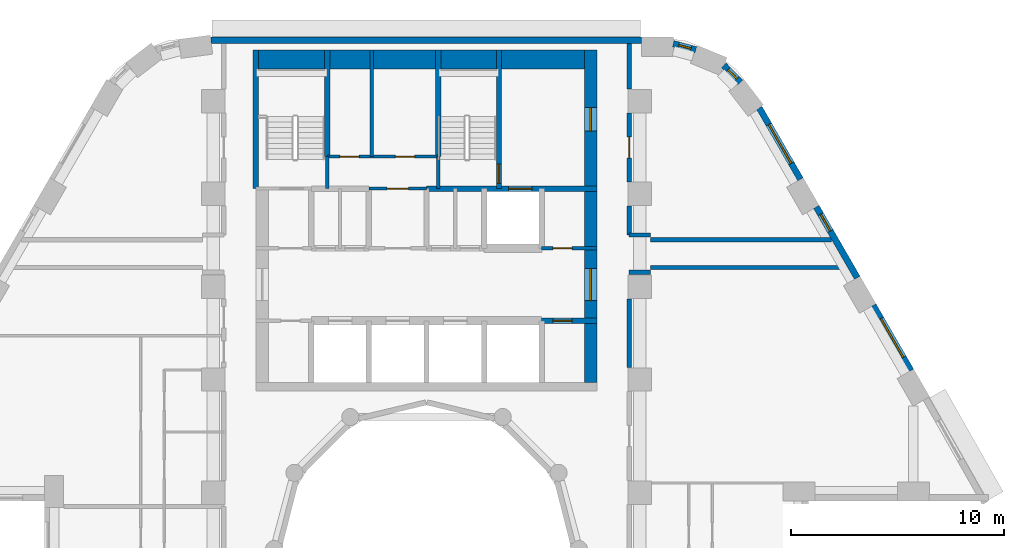
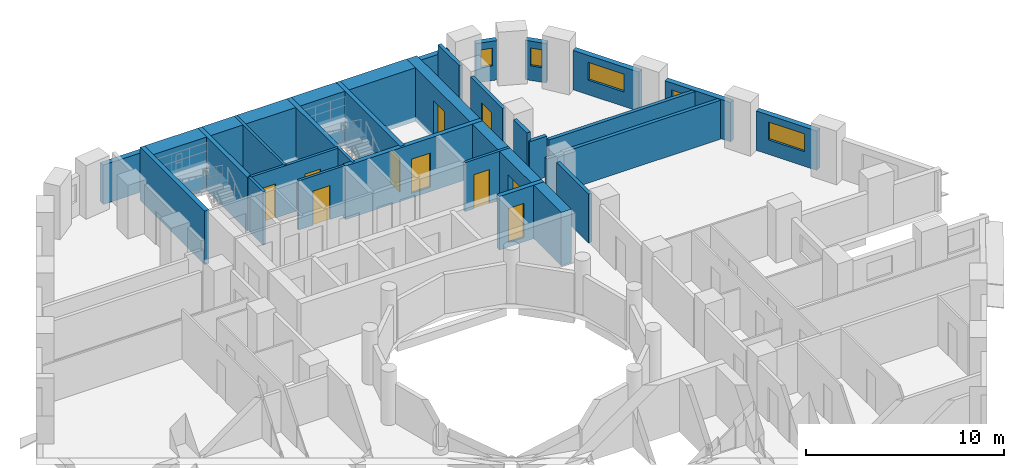
# One storey, part 8 of 12: 28 walls, 10 doors, 5 windows, 15 openings.
"""IFC4 building model written with IfcOpenShell, lengths in metres."""

from ifc_helpers import new_model, si_unit, direction, frame, frame_2d, origin, place, context, subcontext, project, spatial, rectangle, extrude, material, layer, layer_set, type_object, element, fill, save


model = new_model("IFC4")

# Units and contexts
model_context = context("Model", 3, precision=1e-05, world=origin(), true_north=direction((0.0, 1.0)))
body_context = subcontext(model_context, "Body", "Model", "MODEL_VIEW")
ifc_project = project(units=[si_unit("LENGTHUNIT", "METRE"), si_unit("AREAUNIT", "SQUARE_METRE"), si_unit("VOLUMEUNIT", "CUBIC_METRE"), si_unit("PLANEANGLEUNIT", "RADIAN"), si_unit("MASSUNIT", "GRAM", prefix="KILO")], contexts=[model_context])

# Site, building, storey
site_placement = place(None, origin())
site = spatial("IfcSite", under=ifc_project, at=site_placement, CompositionType="ELEMENT")
building_placement = place(site_placement, origin())
building = spatial("IfcBuilding", under=site, at=building_placement, Name="Nakaniwa Court", CompositionType="ELEMENT")
storey_placement = place(building_placement, frame((0.0, 0.0, 51.300048828125)))
storey = spatial("IfcBuildingStorey", under=building, at=storey_placement, Name="L13", CompositionType="ELEMENT", Elevation=51.300048828125)

# Walls
ifc_material_1 = material(Name="Acoustic double stud partition")
ifc_layer_1 = layer(ifc_material_1, 0.199951171875)
ifc_layer_set_1 = layer_set([ifc_layer_1], Name="Acoustic double stud partition")
wall_type_1 = type_object("IfcWallType", Name="Acoustic double stud partition 200", PredefinedType="PARTITIONING", material=ifc_layer_set_1)
wall_1_placement = place(storey_placement, frame((89.5, 88.51708984375, 0.0), z_axis=(0.0, 0.0, 1.0), x_axis=(0.0, 1.0, 0.0)))
element("IfcWall", 1, at=wall_1_placement, inside=storey, type_object=wall_type_1, Name="Partition PW-079", PredefinedType="PARTITIONING", context=body_context, shape_type="SweptSolid", body=[
    extrude(rectangle(XDim=3.2158203125, YDim=0.199951171875, at=frame_2d((1.60791015625, 0.0))), origin(), (0.0, 0.0, 1.0), 3.02490234375),
])
wall_2_placement = place(storey_placement, frame((89.5, 94.721923828125, 0.0), z_axis=(0.0, 0.0, 1.0), x_axis=(0.0, 1.0, 0.0)))
element("IfcWall", 2, at=wall_2_placement, inside=storey, type_object=wall_type_1, Name="Partition PW-080", PredefinedType="PARTITIONING", context=body_context, shape_type="SweptSolid", body=[
    extrude(rectangle(XDim=1.361083984375, YDim=0.199951171875, at=frame_2d((0.6806640625, 0.0))), origin(), (0.0, 0.0, 1.0), 3.02490234375),
])

# Wall, opening, door
wall_3_placement = place(storey_placement, frame((89.5, 100.43310546875, 0.0), z_axis=(0.0, 0.0, 1.0), x_axis=(0.0, -1.0, 0.0)))
wall_3 = element("IfcWall", 3, at=wall_3_placement, inside=storey, type_object=wall_type_1, Name="Partition PW-081", PredefinedType="PARTITIONING", context=body_context, shape_type="SweptSolid", body=[
    extrude(rectangle(XDim=3.216064453125, YDim=0.199951171875, at=frame_2d((1.60791015625, 0.0))), origin(), (0.0, 0.0, 1.0), 3.02490234375),
])
opening_1_placement = place(wall_3_placement, frame((1.10791015625, 0.0, 0.0)))
opening_1 = element("IfcOpeningElement", 4, at=opening_1_placement, cuts=wall_3, Name="Opening D-02-02", PredefinedType="OPENING", context=body_context, shape_type="SweptSolid", body=[
    extrude(rectangle(XDim=1.0, YDim=2.10009765625, at=frame_2d((0.5, 1.050048828125))), frame((0.0, 0.10986328125, 0.0), z_axis=(0.0, -1.0, 0.0), x_axis=(1.0, 0.0, 0.0)), (0.0, 0.0, 1.0), 0.219970703125),
])
ifc_material_2 = material(Name="Solid core timber door set, black veneer", Category="wood")
door_type_1 = type_object("IfcDoorType", Name="Internal door 1000", OperationType="NOTDEFINED", PredefinedType="DOOR", material=ifc_material_2)
door_1_placement = place(opening_1_placement, origin())
door_1 = element("IfcDoor", 5, at=door_1_placement, inside=storey, type_object=door_type_1, Name="Door D-02-02 L13-040", OperationType="SINGLE_SWING_LEFT", OverallHeight=2.10009765625, OverallWidth=1.0, PredefinedType="DOOR", context=body_context, shape_type="SweptSolid", body=[
    extrude(rectangle(XDim=1.0, YDim=2.10009765625, at=frame_2d((0.5, 1.050048828125))), frame((0.0, 0.02490234375, 0.0), z_axis=(0.0, -1.0, 0.0), x_axis=(1.0, 0.0, 0.0)), (0.0, 0.0, 1.0), 0.050048828125),
])
fill(opening_1, door_1)

# Walls
wall_4_placement = place(storey_placement, frame((89.5, 101.56689453125, 0.0), z_axis=(0.0, 0.0, 1.0), x_axis=(0.0, 1.0, 0.0)))
element("IfcWall", 6, at=wall_4_placement, inside=storey, type_object=wall_type_1, Name="Partition PW-082", PredefinedType="PARTITIONING", context=body_context, shape_type="SweptSolid", body=[
    extrude(rectangle(XDim=2.133056640625, YDim=0.199951171875, at=frame_2d((1.06640625, 0.0))), origin(), (0.0, 0.0, 1.0), 3.02490234375),
])
wall_5_placement = place(storey_placement, frame((90.5, 93.199951171875, 0.0), z_axis=(0.0, 0.0, 1.0), x_axis=(1.0, 0.0, 0.0)))
element("IfcWall", 7, at=wall_5_placement, inside=storey, type_object=wall_type_1, Name="Partition PW-084", PredefinedType="PARTITIONING", context=body_context, shape_type="SweptSolid", body=[
    extrude(rectangle(XDim=9.245361328125, YDim=0.199951171875, at=frame_2d((4.62255859375, 0.0))), origin(), (0.0, 0.0, 1.0), 2.405029296875),
])
for number, where, z_axis, x_axis, name in (
    (8, (89.5, 92.97509765625, 0.0), (0.0, 0.0, 1.0), (1.0, 0.0, 0.0), "Partition PW-086"),
    (9, (89.5, 94.72509765625, 0.0), (0.0, 0.0, 1.0), (1.0, 0.0, 0.0), "Partition PW-088"),
):
    element("IfcWall", number, at=place(storey_placement, frame(where, z_axis=z_axis, x_axis=x_axis)), inside=storey, type_object=wall_type_1, Name=name, PredefinedType="PARTITIONING", context=body_context, shape_type="SweptSolid", body=[
        extrude(rectangle(XDim=1.0, YDim=0.199951171875, at=frame_2d((0.5, 0.0))), origin(), (0.0, 0.0, 1.0), 2.5048828125),
    ])
wall_6_placement = place(storey_placement, frame((90.5, 94.5, 0.0), z_axis=(0.0, 0.0, 1.0), x_axis=(1.0, 0.0, 0.0)))
element("IfcWall", 10, at=wall_6_placement, inside=storey, type_object=wall_type_1, Name="Partition PW-090", PredefinedType="PARTITIONING", context=body_context, shape_type="SweptSolid", body=[
    extrude(rectangle(XDim=8.494873046875, YDim=0.199951171875, at=frame_2d((4.24755859375, 0.0))), origin(), (0.0, 0.0, 1.0), 2.405029296875),
])

# Wall, opening, window
ifc_material_3 = material(Name="Charcoal ceramic cladding")
ifc_layer_2 = layer(ifc_material_3, 0.02, Name="Ceramic cladding")
ifc_material_4 = material(Name="Ventilated air cavity")
ifc_layer_3 = layer(ifc_material_4, 0.04, ventilated=True, Name="Ventilated cavity")
ifc_material_5 = material(Name="Mineral wool insulation")
ifc_layer_4 = layer(ifc_material_5, 0.1, Name="Insulation")
ifc_material_6 = material(Name="Cement bonded sheathing board")
ifc_layer_5 = layer(ifc_material_6, 0.012, Name="Sheathing")
ifc_material_7 = material(Name="Cold-formed galvanised stud frame with mineral wool infill")
ifc_layer_6 = layer(ifc_material_7, 0.1, Name="Stud frame")
ifc_material_8 = material(Name="Fire-rated gypsum plasterboard lining")
ifc_layer_7 = layer(ifc_material_8, 0.028, Name="Lining")
ifc_layer_set_2 = layer_set([ifc_layer_2, ifc_layer_3, ifc_layer_4, ifc_layer_5, ifc_layer_6, ifc_layer_7], Name="Charcoal ceramic faced external wall system")
wall_type_2 = type_object("IfcWallType", Name="Black ceramic faced external wall 300", PredefinedType="SOLIDWALL", material=ifc_layer_set_2)
wall_7_placement = place(storey_placement, frame((102.709716796875, 88.36572265625, 0.0), z_axis=(0.0, 0.0, 1.0), x_axis=(-0.499977402622, 0.866038449993, 0.0)))
wall_7 = element("IfcWall", 11, at=wall_7_placement, inside=storey, type_object=wall_type_2, Name="L13 external wall 03", PredefinedType="SOLIDWALL", context=body_context, shape_type="SweptSolid", body=[
    extrude(rectangle(XDim=3.536865234375, YDim=0.300048828125, at=frame_2d((1.7685546875, 0.0))), origin(), (0.0, 0.0, 1.0), 2.425048828125),
])
opening_2_placement = place(wall_7_placement, frame((0.718505859375, 0.0, 0.89990234375)))
opening_2 = element("IfcOpeningElement", 12, at=opening_2_placement, cuts=wall_7, Name="Opening W7.02", PredefinedType="OPENING", context=body_context, shape_type="SweptSolid", body=[
    extrude(rectangle(XDim=2.10009765625, YDim=1.10009765625, at=frame_2d((1.050048828125, 0.550048828125))), frame((0.0, 0.159912109375, 0.0), z_axis=(0.0, -1.0, 0.0), x_axis=(1.0, 0.0, 0.0)), (0.0, 0.0, 1.0), 0.320068359375),
])
ifc_material_9 = material(Name="Black anodised aluminium frame with dark low-E laminated double glazing", Category="aluminium")
window_type_1 = type_object("IfcWindowType", Name="Dark glass window 2100x1100 sill 900", PartitioningType="SINGLE_PANEL", PredefinedType="WINDOW", material=ifc_material_9)
window_1_placement = place(opening_2_placement, origin())
window_1 = element("IfcWindow", 13, at=window_1_placement, inside=storey, type_object=window_type_1, Name="L13 habitable room window 03-0", OverallHeight=1.10009765625, OverallWidth=2.10009765625, PartitioningType="SINGLE_PANEL", PredefinedType="WINDOW", context=body_context, shape_type="SweptSolid", body=[
    extrude(rectangle(XDim=2.10009765625, YDim=1.10009765625, at=frame_2d((1.050048828125, 0.550048828125))), frame((0.0, 0.030029296875, 0.0), z_axis=(0.0, -1.0, 0.0), x_axis=(1.0, 0.0, 0.0)), (0.0, 0.0, 1.0), 0.06005859375),
])
fill(opening_2, window_1)

wall_8_placement = place(storey_placement, frame((100.1953125, 92.720703125, 0.0), z_axis=(0.0, 0.0, 1.0), x_axis=(-0.500001735503, 0.866024401789, 0.0)))
wall_8 = element("IfcWall", 14, at=wall_8_placement, inside=storey, type_object=wall_type_2, Name="L13 external wall 04", PredefinedType="SOLIDWALL", context=body_context, shape_type="SweptSolid", body=[
    extrude(rectangle(XDim=3.833984375, YDim=0.300048828125, at=frame_2d((1.9169921875, 0.0))), origin(), (0.0, 0.0, 1.0), 2.425048828125),
])
opening_3_placement = place(wall_8_placement, frame((2.53125, 0.0, 0.89990234375)))
opening_3 = element("IfcOpeningElement", 15, at=opening_3_placement, cuts=wall_8, Name="Opening W9.03", PredefinedType="OPENING", context=body_context, shape_type="SweptSolid", body=[
    extrude(rectangle(XDim=0.89990234375, YDim=1.10009765625, at=frame_2d((0.449951171875, 0.550048828125))), frame((0.0, 0.159912109375, 0.0), z_axis=(0.0, -1.0, 0.0), x_axis=(1.0, 0.0, 0.0)), (0.0, 0.0, 1.0), 0.320068359375),
])
window_type_2 = type_object("IfcWindowType", Name="Dark glass window 900x1100 sill 900", PartitioningType="SINGLE_PANEL", PredefinedType="WINDOW", material=ifc_material_9)
window_2_placement = place(opening_3_placement, origin())
window_2 = element("IfcWindow", 16, at=window_2_placement, inside=storey, type_object=window_type_2, Name="L13 habitable room window 04-2", OverallHeight=1.10009765625, OverallWidth=0.89990234375, PartitioningType="SINGLE_PANEL", PredefinedType="WINDOW", context=body_context, shape_type="SweptSolid", body=[
    extrude(rectangle(XDim=0.89990234375, YDim=1.10009765625, at=frame_2d((0.449951171875, 0.550048828125))), frame((0.0, 0.030029296875, 0.0), z_axis=(0.0, -1.0, 0.0), x_axis=(1.0, 0.0, 0.0)), (0.0, 0.0, 1.0), 0.06005859375),
])
fill(opening_3, window_2)

wall_9_placement = place(storey_placement, frame((97.5322265625, 97.3330078125, 0.0), z_axis=(0.0, 0.0, 1.0), x_axis=(-0.499948341072, 0.866055227026, 0.0)))
wall_9 = element("IfcWall", 17, at=wall_9_placement, inside=storey, type_object=wall_type_2, Name="L13 external wall 05", PredefinedType="SOLIDWALL", context=body_context, shape_type="SweptSolid", body=[
    extrude(rectangle(XDim=3.8671875, YDim=0.300048828125, at=frame_2d((1.93359375, 0.0))), origin(), (0.0, 0.0, 1.0), 2.425048828125),
])
opening_4_placement = place(wall_9_placement, frame((0.872314453125, 0.0, 0.89990234375)))
opening_4 = element("IfcOpeningElement", 18, at=opening_4_placement, cuts=wall_9, Name="Opening W7.04", PredefinedType="OPENING", context=body_context, shape_type="SweptSolid", body=[
    extrude(rectangle(XDim=2.10009765625, YDim=1.10009765625, at=frame_2d((1.050048828125, 0.550048828125))), frame((0.0, 0.159912109375, 0.0), z_axis=(0.0, -1.0, 0.0), x_axis=(1.0, 0.0, 0.0)), (0.0, 0.0, 1.0), 0.320068359375),
])
window_3_placement = place(opening_4_placement, origin())
window_3 = element("IfcWindow", 19, at=window_3_placement, inside=storey, type_object=window_type_1, Name="L13 habitable room window 05-0", OverallHeight=1.10009765625, OverallWidth=2.10009765625, PartitioningType="SINGLE_PANEL", PredefinedType="WINDOW", context=body_context, shape_type="SweptSolid", body=[
    extrude(rectangle(XDim=2.10009765625, YDim=1.10009765625, at=frame_2d((1.050048828125, 0.550048828125))), frame((0.0, 0.030029296875, 0.0), z_axis=(0.0, -1.0, 0.0), x_axis=(1.0, 0.0, 0.0)), (0.0, 0.0, 1.0), 0.06005859375),
])
fill(opening_4, window_3)

wall_10_placement = place(storey_placement, frame((94.712646484375, 101.8828125, 0.0), z_axis=(0.0, 0.0, 1.0), x_axis=(-0.696138968055, 0.717907053285, 0.0)))
wall_10 = element("IfcWall", 20, at=wall_10_placement, inside=storey, type_object=wall_type_2, Name="L13 external wall 06", PredefinedType="SOLIDWALL", context=body_context, shape_type="SweptSolid", body=[
    extrude(rectangle(XDim=1.1103515625, YDim=0.300048828125, at=frame_2d((0.55517578125, 0.0))), origin(), (0.0, 0.0, 1.0), 2.425048828125),
])
opening_5_placement = place(wall_10_placement, frame((0.230712890625, 0.0, 0.89990234375)))
opening_5 = element("IfcOpeningElement", 21, at=opening_5_placement, cuts=wall_10, Name="Opening W8.05", PredefinedType="OPENING", context=body_context, shape_type="SweptSolid", body=[
    extrude(rectangle(XDim=0.60009765625, YDim=1.10009765625, at=frame_2d((0.300048828125, 0.550048828125))), frame((0.0, 0.159912109375, 0.0), z_axis=(0.0, -1.0, 0.0), x_axis=(1.0, 0.0, 0.0)), (0.0, 0.0, 1.0), 0.320068359375),
])
window_type_3 = type_object("IfcWindowType", Name="Dark glass window 600x1100 sill 900", PartitioningType="SINGLE_PANEL", PredefinedType="WINDOW", material=ifc_material_9)
window_4_placement = place(opening_5_placement, origin())
window_4 = element("IfcWindow", 22, at=window_4_placement, inside=storey, type_object=window_type_3, Name="L13 habitable room window 06-0", OverallHeight=1.10009765625, OverallWidth=0.60009765625, PartitioningType="SINGLE_PANEL", PredefinedType="WINDOW", context=body_context, shape_type="SweptSolid", body=[
    extrude(rectangle(XDim=0.60009765625, YDim=1.10009765625, at=frame_2d((0.300048828125, 0.550048828125))), frame((0.0, 0.030029296875, 0.0), z_axis=(0.0, -1.0, 0.0), x_axis=(1.0, 0.0, 0.0)), (0.0, 0.0, 1.0), 0.06005859375),
])
fill(opening_5, window_4)

wall_11_placement = place(storey_placement, frame((92.62548828125, 103.406982421875, 0.0), z_axis=(0.0, 0.0, 1.0), x_axis=(-0.96522637192, 0.261415475728, 0.0)))
wall_11 = element("IfcWall", 23, at=wall_11_placement, inside=storey, type_object=wall_type_2, Name="L13 external wall 07", PredefinedType="SOLIDWALL", context=body_context, shape_type="SweptSolid", body=[
    extrude(rectangle(XDim=1.0927734375, YDim=0.300048828125, at=frame_2d((0.54638671875, 0.0))), origin(), (0.0, 0.0, 1.0), 2.425048828125),
])
opening_6_placement = place(wall_11_placement, frame((0.236083984375, 0.0, 0.89990234375)))
opening_6 = element("IfcOpeningElement", 24, at=opening_6_placement, cuts=wall_11, Name="Opening W8.06", PredefinedType="OPENING", context=body_context, shape_type="SweptSolid", body=[
    extrude(rectangle(XDim=0.60009765625, YDim=1.10009765625, at=frame_2d((0.300048828125, 0.550048828125))), frame((0.0, 0.159912109375, 0.0), z_axis=(0.0, -1.0, 0.0), x_axis=(1.0, 0.0, 0.0)), (0.0, 0.0, 1.0), 0.320068359375),
])
window_5_placement = place(opening_6_placement, origin())
window_5 = element("IfcWindow", 25, at=window_5_placement, inside=storey, type_object=window_type_3, Name="L13 habitable room window 07-0", OverallHeight=1.10009765625, OverallWidth=0.60009765625, PartitioningType="SINGLE_PANEL", PredefinedType="WINDOW", context=body_context, shape_type="SweptSolid", body=[
    extrude(rectangle(XDim=0.60009765625, YDim=1.10009765625, at=frame_2d((0.300048828125, 0.550048828125))), frame((0.0, 0.030029296875, 0.0), z_axis=(0.0, -1.0, 0.0), x_axis=(1.0, 0.0, 0.0)), (0.0, 0.0, 1.0), 0.06005859375),
])
fill(opening_6, window_5)

# Wall
wall_12_placement = place(storey_placement, frame((90.07861328125, 103.85009765625, 0.0), z_axis=(0.0, 0.0, 1.0), x_axis=(-1.0, 0.0, 0.0)))
element("IfcWall", 26, at=wall_12_placement, inside=storey, type_object=wall_type_2, Name="L13 external wall 08", PredefinedType="SOLIDWALL", context=body_context, shape_type="SweptSolid", body=[
    extrude(rectangle(XDim=20.1904296875, YDim=0.300048828125, at=frame_2d((10.09521484375, 0.0))), origin(), (0.0, 0.0, 1.0), 2.425048828125),
])

# Wall, opening, door
ifc_material_10 = material(Name="Blockwork partition", Category="masonry")
ifc_layer_8 = layer(ifc_material_10, 0.14990234375)
ifc_layer_set_3 = layer_set([ifc_layer_8], Name="Blockwork partition")
wall_type_3 = type_object("IfcWallType", Name="Blockwork partition 150", PredefinedType="PARTITIONING", material=ifc_layer_set_3)
wall_13_placement = place(storey_placement, frame((85.39697265625, 94.10009765625, 0.0), z_axis=(0.0, 0.0, 1.0), x_axis=(1.0, 0.0, 0.0)))
wall_13 = element("IfcWall", 27, at=wall_13_placement, inside=storey, type_object=wall_type_3, Name="Partition PW-018", PredefinedType="PARTITIONING", context=body_context, shape_type="SweptSolid", body=[
    extrude(rectangle(XDim=2.60302734375, YDim=0.14990234375, at=frame_2d((1.301513671875, 0.0))), origin(), (0.0, 0.0, 1.0), 3.02490234375),
])
opening_7_placement = place(wall_13_placement, frame((0.528076171875, 0.0, 0.0)))
opening_7 = element("IfcOpeningElement", 28, at=opening_7_placement, cuts=wall_13, Name="Opening D-05-07", PredefinedType="OPENING", context=body_context, shape_type="SweptSolid", body=[
    extrude(rectangle(XDim=0.89990234375, YDim=2.10009765625, at=frame_2d((0.449951171875, 1.050048828125))), frame((0.0, 0.0849609375, 0.0), z_axis=(0.0, -1.0, 0.0), x_axis=(1.0, 0.0, 0.0)), (0.0, 0.0, 1.0), 0.169921875),
])
ifc_material_11 = material(Name="Fire rated steel door set", Category="steel")
door_type_2 = type_object("IfcDoorType", Name="Service room door 900", OperationType="NOTDEFINED", PredefinedType="DOOR", material=ifc_material_11)
door_2_placement = place(opening_7_placement, origin())
door_2 = element("IfcDoor", 29, at=door_2_placement, inside=storey, type_object=door_type_2, Name="Door D-05-07 L13-009", OperationType="SINGLE_SWING_RIGHT", OverallHeight=2.10009765625, OverallWidth=0.89990234375, PredefinedType="DOOR", context=body_context, shape_type="SweptSolid", body=[
    extrude(rectangle(XDim=0.89990234375, YDim=2.10009765625, at=frame_2d((0.449951171875, 1.050048828125))), frame((0.0, 0.02490234375, 0.0), z_axis=(0.0, -1.0, 0.0), x_axis=(1.0, 0.0, 0.0)), (0.0, 0.0, 1.0), 0.050048828125),
])
fill(opening_7, door_2)

wall_14_placement = place(storey_placement, frame((77.300048828125, 96.89990234375, 0.0), z_axis=(0.0, 0.0, 1.0), x_axis=(1.0, 0.0, 0.0)))
wall_14 = element("IfcWall", 30, at=wall_14_placement, inside=storey, type_object=wall_type_3, Name="Partition PW-026", PredefinedType="PARTITIONING", context=body_context, shape_type="SweptSolid", body=[
    extrude(rectangle(XDim=2.699951171875, YDim=0.14990234375, at=frame_2d((1.35009765625, 0.0))), origin(), (0.0, 0.0, 1.0), 3.02490234375),
])
opening_8_placement = place(wall_14_placement, frame((0.85009765625, 0.0, 0.0)))
opening_8 = element("IfcOpeningElement", 31, at=opening_8_placement, cuts=wall_14, Name="Opening D-23-01", PredefinedType="OPENING", context=body_context, shape_type="SweptSolid", body=[
    extrude(rectangle(XDim=1.0, YDim=2.10009765625, at=frame_2d((0.5, 1.050048828125))), frame((0.0, 0.0849609375, 0.0), z_axis=(0.0, -1.0, 0.0), x_axis=(1.0, 0.0, 0.0)), (0.0, 0.0, 1.0), 0.169921875),
])
door_type_3 = type_object("IfcDoorType", Name="Service room door 1000", OperationType="NOTDEFINED", PredefinedType="DOOR", material=ifc_material_11)
door_3_placement = place(opening_8_placement, origin())
door_3 = element("IfcDoor", 32, at=door_3_placement, inside=storey, type_object=door_type_3, Name="Door D-23-01 L13-010", OperationType="SINGLE_SWING_LEFT", OverallHeight=2.10009765625, OverallWidth=1.0, PredefinedType="DOOR", context=body_context, shape_type="SweptSolid", body=[
    extrude(rectangle(XDim=1.0, YDim=2.10009765625, at=frame_2d((0.5, 1.050048828125))), frame((0.0, 0.02490234375, 0.0), z_axis=(0.0, -1.0, 0.0), x_axis=(1.0, 0.0, 0.0)), (0.0, 0.0, 1.0), 0.050048828125),
])
fill(opening_8, door_3)

# Wall, openings, doors
wall_15_placement = place(storey_placement, frame((75.35009765625, 98.39990234375, 0.0), z_axis=(0.0, 0.0, 1.0), x_axis=(1.0, 0.0, 0.0)))
wall_15 = element("IfcWall", 33, at=wall_15_placement, inside=storey, type_object=wall_type_3, Name="Partition PW-034", PredefinedType="PARTITIONING", context=body_context, shape_type="SweptSolid", body=[
    extrude(rectangle(XDim=5.199951171875, YDim=0.14990234375, at=frame_2d((2.60009765625, 0.0))), origin(), (0.0, 0.0, 1.0), 3.02490234375),
])
opening_9_placement = place(wall_15_placement, frame((0.590087890625, 0.0, 0.0)))
opening_9 = element("IfcOpeningElement", 34, at=opening_9_placement, cuts=wall_15, Name="Opening D-05-08", PredefinedType="OPENING", context=body_context, shape_type="SweptSolid", body=[
    extrude(rectangle(XDim=0.89990234375, YDim=2.10009765625, at=frame_2d((0.449951171875, 1.050048828125))), frame((0.0, 0.0849609375, 0.0), z_axis=(0.0, -1.0, 0.0), x_axis=(1.0, 0.0, 0.0)), (0.0, 0.0, 1.0), 0.169921875),
])
opening_10_placement = place(wall_15_placement, frame((3.18994140625, 0.0, 0.0)))
opening_10 = element("IfcOpeningElement", 35, at=opening_10_placement, cuts=wall_15, Name="Opening D-05-09", PredefinedType="OPENING", context=body_context, shape_type="SweptSolid", body=[
    extrude(rectangle(XDim=0.89990234375, YDim=2.10009765625, at=frame_2d((0.449951171875, 1.050048828125))), frame((0.0, 0.0849609375, 0.0), z_axis=(0.0, -1.0, 0.0), x_axis=(1.0, 0.0, 0.0)), (0.0, 0.0, 1.0), 0.169921875),
])
door_4_placement = place(opening_9_placement, origin())
door_4 = element("IfcDoor", 36, at=door_4_placement, inside=storey, type_object=door_type_2, Name="Door D-05-08 L13-011", OperationType="SINGLE_SWING_RIGHT", OverallHeight=2.10009765625, OverallWidth=0.89990234375, PredefinedType="DOOR", context=body_context, shape_type="SweptSolid", body=[
    extrude(rectangle(XDim=0.89990234375, YDim=2.10009765625, at=frame_2d((0.449951171875, 1.050048828125))), frame((0.0, 0.02490234375, 0.0), z_axis=(0.0, -1.0, 0.0), x_axis=(1.0, 0.0, 0.0)), (0.0, 0.0, 1.0), 0.050048828125),
])
fill(opening_9, door_4)
door_5_placement = place(opening_10_placement, origin())
door_5 = element("IfcDoor", 37, at=door_5_placement, inside=storey, type_object=door_type_2, Name="Door D-05-09 L13-012", OperationType="SINGLE_SWING_LEFT", OverallHeight=2.10009765625, OverallWidth=0.89990234375, PredefinedType="DOOR", context=body_context, shape_type="SweptSolid", body=[
    extrude(rectangle(XDim=0.89990234375, YDim=2.10009765625, at=frame_2d((0.449951171875, 1.050048828125))), frame((0.0, 0.02490234375, 0.0), z_axis=(0.0, -1.0, 0.0), x_axis=(1.0, 0.0, 0.0)), (0.0, 0.0, 1.0), 0.050048828125),
])
fill(opening_10, door_5)

# Wall
wall_16_placement = place(storey_placement, frame((77.429931640625, 98.39990234375, 0.0), z_axis=(0.0, 0.0, 1.0), x_axis=(0.0, 1.0, 0.0)))
element("IfcWall", 38, at=wall_16_placement, inside=storey, type_object=wall_type_3, Name="Partition PW-035", PredefinedType="PARTITIONING", context=body_context, shape_type="SweptSolid", body=[
    extrude(rectangle(XDim=5.0, YDim=0.14990234375, at=frame_2d((2.5, 0.0))), origin(), (0.0, 0.0, 1.0), 3.02490234375),
])

# Wall, openings, doors
ifc_material_12 = material(Name="Concrete C100/115", Category="concrete")
ifc_layer_9 = layer(ifc_material_12, 0.60009765625)
ifc_layer_set_4 = layer_set([ifc_layer_9], Name="Concrete C100/115")
wall_type_4 = type_object("IfcWallType", Name="Concrete core side wall 600 C100", PredefinedType="SHEAR", material=ifc_layer_set_4)
wall_17_placement = place(storey_placement, frame((87.699951171875, 103.39990234375, -0.275146484375), z_axis=(0.0, 0.0, 1.0), x_axis=(0.0, -1.0, 0.0)))
wall_17 = element("IfcWall", 39, at=wall_17_placement, inside=storey, type_object=wall_type_4, Name="Core wall SW-15", PredefinedType="SHEAR", context=body_context, shape_type="SweptSolid", body=[
    extrude(rectangle(XDim=15.599853515625, YDim=0.60009765625, at=frame_2d((7.7998046875, 0.0))), origin(), (0.0, 0.0, 1.0), 3.300048828125),
])
opening_11_placement = place(wall_17_placement, frame((10.25, 0.0, 0.27490234375)))
opening_11 = element("IfcOpeningElement", 40, at=opening_11_placement, cuts=wall_17, Name="Opening D-07-01", PredefinedType="OPENING", context=body_context, shape_type="SweptSolid", body=[
    extrude(rectangle(XDim=1.5, YDim=2.10009765625, at=frame_2d((0.75, 1.050048828125))), frame((0.0, 0.31005859375, 0.0), z_axis=(0.0, -1.0, 0.0), x_axis=(1.0, 0.0, 0.0)), (0.0, 0.0, 1.0), 0.6201171875),
])
opening_12_placement = place(wall_17_placement, frame((2.699951171875, 0.0, 0.27490234375)))
opening_12 = element("IfcOpeningElement", 41, at=opening_12_placement, cuts=wall_17, Name="Opening D-10-01", PredefinedType="OPENING", context=body_context, shape_type="SweptSolid", body=[
    extrude(rectangle(XDim=1.10009765625, YDim=2.10009765625, at=frame_2d((0.550048828125, 1.050048828125))), frame((0.0, 0.31005859375, 0.0), z_axis=(0.0, -1.0, 0.0), x_axis=(1.0, 0.0, 0.0)), (0.0, 0.0, 1.0), 0.6201171875),
])
door_type_4 = type_object("IfcDoorType", Name="Firefighting lobby door 1100", OperationType="NOTDEFINED", PredefinedType="DOOR", material=ifc_material_11)
door_6_placement = place(opening_12_placement, origin())
door_6 = element("IfcDoor", 42, at=door_6_placement, inside=storey, type_object=door_type_4, Name="Door D-10-01 L13-058", OperationType="SINGLE_SWING_LEFT", OverallHeight=2.10009765625, OverallWidth=1.10009765625, PredefinedType="DOOR", context=body_context, shape_type="SweptSolid", body=[
    extrude(rectangle(XDim=1.10009765625, YDim=2.10009765625, at=frame_2d((0.550048828125, 1.050048828125))), frame((0.0, 0.02490234375, 0.0), z_axis=(0.0, -1.0, 0.0), x_axis=(1.0, 0.0, 0.0)), (0.0, 0.0, 1.0), 0.050048828125),
])
fill(opening_12, door_6)
ifc_material_13 = material(Name="Glazed fire rated steel double door set", Category="steel")
door_type_5 = type_object("IfcDoorType", Name="Lobby double door 1500", OperationType="NOTDEFINED", PredefinedType="DOOR", material=ifc_material_13)
door_7_placement = place(opening_11_placement, origin())
door_7 = element("IfcDoor", 43, at=door_7_placement, inside=storey, type_object=door_type_5, Name="Door D-07-01 L13-056", OperationType="DOUBLE_DOOR_SINGLE_SWING", OverallHeight=2.10009765625, OverallWidth=1.5, PredefinedType="DOOR", context=body_context, shape_type="SweptSolid", body=[
    extrude(rectangle(XDim=1.5, YDim=2.10009765625, at=frame_2d((0.75, 1.050048828125))), frame((0.0, 0.02490234375, 0.0), z_axis=(0.0, -1.0, 0.0), x_axis=(1.0, 0.0, 0.0)), (0.0, 0.0, 1.0), 0.050048828125),
])
fill(opening_11, door_7)

# Walls
ifc_layer_10 = layer(ifc_material_12, 0.14990234375)
ifc_layer_set_5 = layer_set([ifc_layer_10], Name="Concrete C100/115")
wall_type_5 = type_object("IfcWallType", Name="Concrete core wall 150 C100", PredefinedType="SHEAR", material=ifc_layer_set_5)
for number, where, z_axis, x_axis, name in (
    (44, (75.35009765625, 96.89990234375, -0.275146484375), (0.0, 0.0, 1.0), (0.0, 1.0, 0.0), "Core wall SW-28"),
    (45, (80.550048828125, 96.89990234375, -0.275146484375), (0.0, 0.0, 1.0), (0.0, 1.0, 0.0), "Core wall SW-32"),
):
    element("IfcWall", number, at=place(storey_placement, frame(where, z_axis=z_axis, x_axis=x_axis)), inside=storey, type_object=wall_type_5, Name=name, PredefinedType="SHEAR", context=body_context, shape_type="SweptSolid", body=[
        extrude(rectangle(XDim=1.503173828125, YDim=0.14990234375, at=frame_2d((0.75146484375, 0.0))), origin(), (0.0, 0.0, 1.0), 3.300048828125),
    ])
ifc_layer_11 = layer(ifc_material_12, 0.25)
ifc_layer_set_6 = layer_set([ifc_layer_11], Name="Concrete C100/115")
wall_type_6 = type_object("IfcWallType", Name="Concrete core wall 250 C100", PredefinedType="SHEAR", material=ifc_layer_set_6)
wall_18_placement = place(storey_placement, frame((72.0, 96.89990234375, -0.275146484375), z_axis=(0.0, 0.0, 1.0), x_axis=(0.0, 1.0, 0.0)))
element("IfcWall", 46, at=wall_18_placement, inside=storey, type_object=wall_type_6, Name="Core wall SW-30", PredefinedType="SHEAR", context=body_context, shape_type="SweptSolid", body=[
    extrude(rectangle(XDim=6.5, YDim=0.25, at=frame_2d((3.25, 0.0))), origin(), (0.0, 0.0, 1.0), 3.300048828125),
])
ifc_layer_12 = layer(ifc_material_12, 0.89990234375)
ifc_layer_set_7 = layer_set([ifc_layer_12], Name="Concrete C100/115")
wall_type_7 = type_object("IfcWallType", Name="Concrete core wall 900 C100", PredefinedType="SHEAR", material=ifc_layer_set_7)
wall_19_placement = place(storey_placement, frame((72.00390625, 102.949951171875, -0.275146484375), z_axis=(0.0, 0.0, 1.0), x_axis=(1.0, 0.0, 0.0)))
element("IfcWall", 47, at=wall_19_placement, inside=storey, type_object=wall_type_7, Name="Core wall SW-134", PredefinedType="SHEAR", context=body_context, shape_type="SweptSolid", body=[
    extrude(rectangle(XDim=15.9921875, YDim=0.89990234375, at=frame_2d((7.99609375, 0.0))), origin(), (0.0, 0.0, 1.0), 3.300048828125),
])

# Wall, opening, door
ifc_layer_13 = layer(ifc_material_12, 0.25)
ifc_layer_set_8 = layer_set([ifc_layer_13], Name="Concrete C100/115")
wall_type_8 = type_object("IfcWallType", Name="Concrete shaft wall 250 C100", PredefinedType="SHEAR", material=ifc_layer_set_8)
wall_20_placement = place(storey_placement, frame((88.0, 90.699951171875, -0.275146484375), z_axis=(0.0, 0.0, 1.0), x_axis=(-1.0, 0.0, 0.0)))
wall_20 = element("IfcWall", 48, at=wall_20_placement, inside=storey, type_object=wall_type_8, Name="Core wall SW-14", PredefinedType="SHEAR", context=body_context, shape_type="SweptSolid", body=[
    extrude(rectangle(XDim=2.60009765625, YDim=0.25, at=frame_2d((1.300048828125, 0.0))), origin(), (0.0, 0.0, 1.0), 3.300048828125),
])
opening_13_placement = place(wall_20_placement, frame((1.175048828125, 0.0, 0.27490234375)))
opening_13 = element("IfcOpeningElement", 49, at=opening_13_placement, cuts=wall_20, Name="Opening D-05-02", PredefinedType="OPENING", context=body_context, shape_type="SweptSolid", body=[
    extrude(rectangle(XDim=0.89990234375, YDim=2.10009765625, at=frame_2d((0.449951171875, 1.050048828125))), frame((0.0, 0.135009765625, 0.0), z_axis=(0.0, -1.0, 0.0), x_axis=(1.0, 0.0, 0.0)), (0.0, 0.0, 1.0), 0.27001953125),
])
door_8_placement = place(opening_13_placement, origin())
door_8 = element("IfcDoor", 50, at=door_8_placement, inside=storey, type_object=door_type_2, Name="Door D-05-02 L13-002", OperationType="SINGLE_SWING_LEFT", OverallHeight=2.10009765625, OverallWidth=0.89990234375, PredefinedType="DOOR", context=body_context, shape_type="SweptSolid", body=[
    extrude(rectangle(XDim=0.89990234375, YDim=2.10009765625, at=frame_2d((0.449951171875, 1.050048828125))), frame((0.0, 0.02490234375, 0.0), z_axis=(0.0, -1.0, 0.0), x_axis=(1.0, 0.0, 0.0)), (0.0, 0.0, 1.0), 0.050048828125),
])
fill(opening_13, door_8)

wall_21_placement = place(storey_placement, frame((80.0, 96.89990234375, -0.275146484375), z_axis=(0.0, 0.0, 1.0), x_axis=(1.0, 0.0, 0.0)))
wall_21 = element("IfcWall", 51, at=wall_21_placement, inside=storey, type_object=wall_type_8, Name="Core wall SW-25", PredefinedType="SHEAR", context=body_context, shape_type="SweptSolid", body=[
    extrude(rectangle(XDim=8.0, YDim=0.25, at=frame_2d((4.0, 0.0))), origin(), (0.0, 0.0, 1.0), 3.300048828125),
])
opening_14_placement = place(wall_21_placement, frame((3.84912109375, 0.0, 0.27490234375)))
opening_14 = element("IfcOpeningElement", 52, at=opening_14_placement, cuts=wall_21, Name="Opening LD04", PredefinedType="OPENING", context=body_context, shape_type="SweptSolid", body=[
    extrude(rectangle(XDim=1.10009765625, YDim=2.10009765625, at=frame_2d((0.550048828125, 1.050048828125))), frame((0.0, 0.135009765625, 0.0), z_axis=(0.0, -1.0, 0.0), x_axis=(1.0, 0.0, 0.0)), (0.0, 0.0, 1.0), 0.27001953125),
])
ifc_material_14 = material(Name="Stainless steel sliding lift landing door", Category="steel")
door_type_6 = type_object("IfcDoorType", Name="Lift landing door 1100", OperationType="NOTDEFINED", PredefinedType="DOOR", material=ifc_material_14)
door_9_placement = place(opening_14_placement, origin())
door_9 = element("IfcDoor", 53, at=door_9_placement, inside=storey, type_object=door_type_6, Name="Lift landing door LD04 L13-004", OperationType="SLIDING_TO_LEFT", OverallHeight=2.10009765625, OverallWidth=1.10009765625, PredefinedType="DOOR", context=body_context, shape_type="SweptSolid", body=[
    extrude(rectangle(XDim=1.10009765625, YDim=2.10009765625, at=frame_2d((0.550048828125, 1.050048828125))), frame((0.0, 0.02490234375, 0.0), z_axis=(0.0, -1.0, 0.0), x_axis=(1.0, 0.0, 0.0)), (0.0, 0.0, 1.0), 0.050048828125),
])
fill(opening_14, door_9)

# Wall
wall_22_placement = place(storey_placement, frame((75.35009765625, 98.39697265625, -0.275146484375), z_axis=(0.0, 0.0, 1.0), x_axis=(0.0, 1.0, 0.0)))
element("IfcWall", 54, at=wall_22_placement, inside=storey, type_object=wall_type_8, Name="Core wall SW-29", PredefinedType="SHEAR", context=body_context, shape_type="SweptSolid", body=[
    extrude(rectangle(XDim=5.0029296875, YDim=0.25, at=frame_2d((2.50146484375, 0.0))), origin(), (0.0, 0.0, 1.0), 3.300048828125),
])

# Wall, opening, door
wall_23_placement = place(storey_placement, frame((83.39990234375, 103.39990234375, -0.275146484375), z_axis=(0.0, 0.0, 1.0), x_axis=(0.0, -1.0, 0.0)))
wall_23 = element("IfcWall", 55, at=wall_23_placement, inside=storey, type_object=wall_type_8, Name="Core wall SW-31", PredefinedType="SHEAR", context=body_context, shape_type="SweptSolid", body=[
    extrude(rectangle(XDim=6.5, YDim=0.25, at=frame_2d((3.25, 0.0))), origin(), (0.0, 0.0, 1.0), 3.300048828125),
])
opening_15_placement = place(wall_23_placement, frame((5.35009765625, 0.0, 0.27490234375)))
opening_15 = element("IfcOpeningElement", 56, at=opening_15_placement, cuts=wall_23, Name="Opening D-11-01", PredefinedType="OPENING", context=body_context, shape_type="SweptSolid", body=[
    extrude(rectangle(XDim=0.89990234375, YDim=2.10009765625, at=frame_2d((0.449951171875, 1.050048828125))), frame((0.0, 0.135009765625, 0.0), z_axis=(0.0, -1.0, 0.0), x_axis=(1.0, 0.0, 0.0)), (0.0, 0.0, 1.0), 0.27001953125),
])
door_type_7 = type_object("IfcDoorType", Name="Stair door 900", OperationType="NOTDEFINED", PredefinedType="DOOR", material=ifc_material_11)
door_10_placement = place(opening_15_placement, origin())
door_10 = element("IfcDoor", 57, at=door_10_placement, inside=storey, type_object=door_type_7, Name="Door D-11-01 L13-014", OperationType="SINGLE_SWING_RIGHT", OverallHeight=2.10009765625, OverallWidth=0.89990234375, PredefinedType="DOOR", context=body_context, shape_type="SweptSolid", body=[
    extrude(rectangle(XDim=0.89990234375, YDim=2.10009765625, at=frame_2d((0.449951171875, 1.050048828125))), frame((0.0, 0.02490234375, 0.0), z_axis=(0.0, -1.0, 0.0), x_axis=(1.0, 0.0, 0.0)), (0.0, 0.0, 1.0), 0.050048828125),
])
fill(opening_15, door_10)

# Wall
wall_24_placement = place(storey_placement, frame((80.550048828125, 98.39697265625, -0.275146484375), z_axis=(0.0, 0.0, 1.0), x_axis=(0.0, 1.0, 0.0)))
element("IfcWall", 58, at=wall_24_placement, inside=storey, type_object=wall_type_8, Name="Core wall SW-33", PredefinedType="SHEAR", context=body_context, shape_type="SweptSolid", body=[
    extrude(rectangle(XDim=5.0029296875, YDim=0.25, at=frame_2d((2.50146484375, 0.0))), origin(), (0.0, 0.0, 1.0), 3.300048828125),
])

save(model, "model.ifc")
